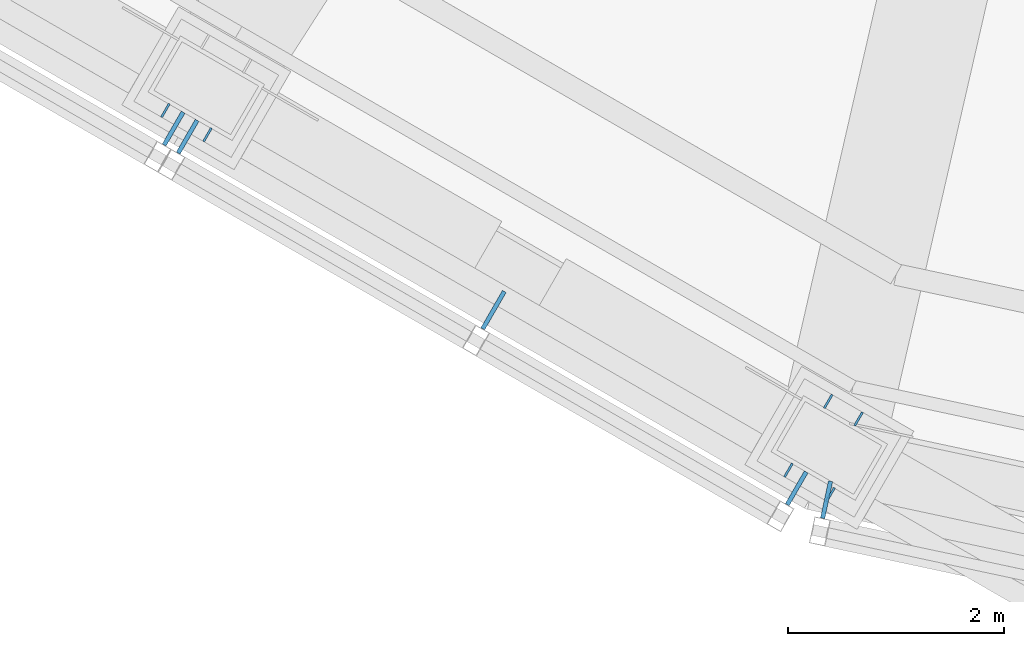
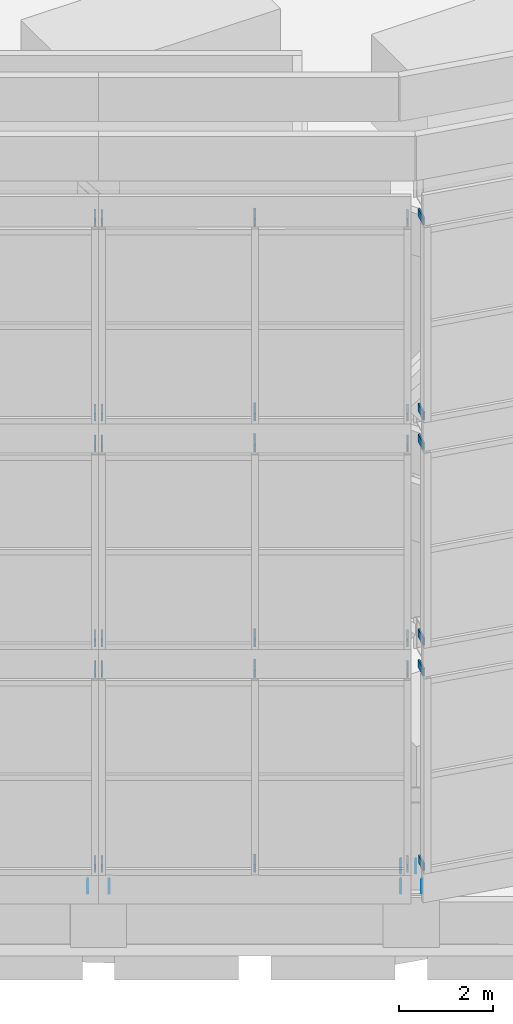
# One storey, part 28 of 46: 36 discrete accessories.
"""IFC4 building model written with IfcOpenShell, lengths in metres."""

from ifc_helpers import new_model, si_unit, direction, frame, origin, origin_2d, place, context, subcontext, project, spatial, rectangle, extrude, material, layer, layer_set, type_object, element, save


model = new_model("IFC4")

# Units and contexts
model_context = context("Model", 3, precision=1e-05, world=origin(), true_north=direction((0.0, 1.0)))
body_context = subcontext(model_context, "Body", "Model", "MODEL_VIEW")
ifc_project = project(units=[si_unit("LENGTHUNIT", "METRE"), si_unit("AREAUNIT", "SQUARE_METRE"), si_unit("VOLUMEUNIT", "CUBIC_METRE"), si_unit("PLANEANGLEUNIT", "RADIAN"), si_unit("MASSUNIT", "GRAM", prefix="KILO")], contexts=[model_context])

# Site, building, storey
site_placement = place(None, origin())
site = spatial("IfcSite", under=ifc_project, at=site_placement, CompositionType="ELEMENT")
building_placement = place(site_placement, origin())
building = spatial("IfcBuilding", under=site, at=building_placement, Name="Vanh Sen Convention Tower", CompositionType="ELEMENT")
storey_placement = place(building_placement, frame((0.0, 0.0, 305.0)))
storey = spatial("IfcBuildingStorey", under=building, at=storey_placement, Name="Roof level", CompositionType="ELEMENT", Elevation=305.0)

# Discrete accessories
ifc_material_1 = material(Name="Steel S355", Category="steel")
ifc_layer = layer(ifc_material_1, 0.02001953125)
ifc_layer_set = layer_set([ifc_layer], Name="Steel S355")
discrete_accessory_type_1 = type_object("IfcDiscreteAccessoryType", Name="Crown base plate stiffener 140 x 300 x 20", PredefinedType="USERDEFINED", material=ifc_layer_set)
for number, where, z_axis, x_axis, name in (
    (1, (-10.154052734375, -16.2705078125, 1.34521484375), (0.0, 0.0, 1.0), (0.5, 0.866025403784, 0.0), "STIFFENER crown column 14 rib 3"),
    (2, (-10.543701171875, -16.04541015625, 1.34521484375), (0.0, 0.0, 1.0), (0.5, 0.866025403784, 0.0), "STIFFENER crown column 14 rib 4"),
    (3, (-4.1240234375, -18.90283203125, 1.34521484375), (0.0, 0.0, 1.0), (0.5, 0.866025403784, 0.0), "STIFFENER crown column 15 rib 1"),
    (4, (-4.405517578125, -18.740478515625, 1.34521484375), (0.0, 0.0, 1.0), (0.5, 0.866025403784, 0.0), "STIFFENER crown column 15 rib 2"),
    (5, (-4.38330078125, -19.60205078125, 1.34521484375), (0.0, 0.0, 1.0), (0.5, 0.866025403784, 0.0), "STIFFENER crown column 15 rib 3"),
    (6, (-4.773193359375, -19.376953125, 1.34521484375), (0.0, 0.0, 1.0), (0.5, 0.866025403784, 0.0), "STIFFENER crown column 15 rib 4"),
):
    element("IfcDiscreteAccessory", number, at=place(storey_placement, frame(where, z_axis=z_axis, x_axis=x_axis)), inside=storey, type_object=discrete_accessory_type_1, Name=name, ObjectType="STIFFENER", PredefinedType="USERDEFINED", context=body_context, shape_type="SweptSolid", body=[
        extrude(rectangle(XDim=0.14501953125, YDim=0.02001953125, at=origin_2d()), origin(), (0.0, 0.0, 1.0), 0.300048828125),
    ])
ifc_material_2 = material(Name="Steel S355", Category="steel")
discrete_accessory_type_2 = type_object("IfcDiscreteAccessoryType", Name="Crown screen bracket 40 x 200", PredefinedType="BRACKET", material=ifc_material_2)
for number, where, z_axis, x_axis, name in (
    (7, (-10.467529296875, -16.21337890625, 2.044921875), (0.0, 0.0, 1.0), (-0.500004534492, -0.866022785779, 0.0), "Crown screen bracket 13-1-3"),
    (8, (-10.467529296875, -16.21337890625, 7.11328125), (0.0, 0.0, 1.0), (-0.500004534492, -0.866022785779, 0.0), "Crown screen bracket 13-1-6"),
    (9, (-10.467529296875, -16.21337890625, 7.9130859375), (0.0, 0.0, 1.0), (-0.500004534492, -0.866022785779, 0.0), "Crown screen bracket 13-2-3"),
    (10, (-10.467529296875, -16.21337890625, 12.98193359375), (0.0, 0.0, 1.0), (-0.500004534492, -0.866022785779, 0.0), "Crown screen bracket 13-2-6"),
    (11, (-10.467529296875, -16.21337890625, 13.78173828125), (0.0, 0.0, 1.0), (-0.500004534492, -0.866022785779, 0.0), "Crown screen bracket 13-3-3"),
    (12, (-10.467529296875, -16.21337890625, 18.85009765625), (0.0, 0.0, 1.0), (-0.500004534492, -0.866022785779, 0.0), "Crown screen bracket 13-3-6"),
    (13, (-10.337646484375, -16.28857421875, 2.044921875), (0.0, 0.0, 1.0), (-0.49999395399, -0.866028894422, 0.0), "Crown screen bracket 14-1-1"),
):
    element("IfcDiscreteAccessory", number, at=place(storey_placement, frame(where, z_axis=z_axis, x_axis=x_axis)), inside=storey, type_object=discrete_accessory_type_2, Name=name, PredefinedType="BRACKET", context=body_context, shape_type="SweptSolid", body=[
        extrude(rectangle(XDim=0.35009765625, YDim=0.0400390625, at=origin_2d()), origin(), (0.0, 0.0, 1.0), 0.199951171875),
    ])
discrete_accessory_1_placement = place(storey_placement, frame((-7.5048828125, -17.89501953125, 2.044921875), z_axis=(0.0, 0.0, 1.0), x_axis=(-0.49999395399, -0.866028894422, 0.0)))
element("IfcDiscreteAccessory", 14, at=discrete_accessory_1_placement, inside=storey, type_object=discrete_accessory_type_2, Name="Crown screen bracket 14-1-2", PredefinedType="BRACKET", context=body_context, shape_type="SweptSolid", body=[
    extrude(rectangle(XDim=0.39990234375, YDim=0.0400390625, at=origin_2d()), origin(), (0.0, 0.0, 1.0), 0.199951171875),
])
for number, where, z_axis, x_axis, name in (
    (15, (-4.697021484375, -19.545166015625, 2.044921875), (0.0, 0.0, 1.0), (-0.49999395399, -0.866028894422, 0.0), "Crown screen bracket 14-1-3"),
    (16, (-10.337646484375, -16.28857421875, 7.11328125), (0.0, 0.0, 1.0), (-0.49999395399, -0.866028894422, 0.0), "Crown screen bracket 14-1-4"),
):
    element("IfcDiscreteAccessory", number, at=place(storey_placement, frame(where, z_axis=z_axis, x_axis=x_axis)), inside=storey, type_object=discrete_accessory_type_2, Name=name, PredefinedType="BRACKET", context=body_context, shape_type="SweptSolid", body=[
        extrude(rectangle(XDim=0.35009765625, YDim=0.0400390625, at=origin_2d()), origin(), (0.0, 0.0, 1.0), 0.199951171875),
    ])
discrete_accessory_2_placement = place(storey_placement, frame((-7.5048828125, -17.89501953125, 7.11328125), z_axis=(0.0, 0.0, 1.0), x_axis=(-0.49999395399, -0.866028894422, 0.0)))
element("IfcDiscreteAccessory", 17, at=discrete_accessory_2_placement, inside=storey, type_object=discrete_accessory_type_2, Name="Crown screen bracket 14-1-5", PredefinedType="BRACKET", context=body_context, shape_type="SweptSolid", body=[
    extrude(rectangle(XDim=0.39990234375, YDim=0.0400390625, at=origin_2d()), origin(), (0.0, 0.0, 1.0), 0.199951171875),
])
for number, where, z_axis, x_axis, name in (
    (18, (-4.697021484375, -19.545166015625, 7.11328125), (0.0, 0.0, 1.0), (-0.49999395399, -0.866028894422, 0.0), "Crown screen bracket 14-1-6"),
    (19, (-10.337646484375, -16.28857421875, 7.9130859375), (0.0, 0.0, 1.0), (-0.49999395399, -0.866028894422, 0.0), "Crown screen bracket 14-2-1"),
):
    element("IfcDiscreteAccessory", number, at=place(storey_placement, frame(where, z_axis=z_axis, x_axis=x_axis)), inside=storey, type_object=discrete_accessory_type_2, Name=name, PredefinedType="BRACKET", context=body_context, shape_type="SweptSolid", body=[
        extrude(rectangle(XDim=0.35009765625, YDim=0.0400390625, at=origin_2d()), origin(), (0.0, 0.0, 1.0), 0.199951171875),
    ])
discrete_accessory_3_placement = place(storey_placement, frame((-7.5048828125, -17.89501953125, 7.9130859375), z_axis=(0.0, 0.0, 1.0), x_axis=(-0.49999395399, -0.866028894422, 0.0)))
element("IfcDiscreteAccessory", 20, at=discrete_accessory_3_placement, inside=storey, type_object=discrete_accessory_type_2, Name="Crown screen bracket 14-2-2", PredefinedType="BRACKET", context=body_context, shape_type="SweptSolid", body=[
    extrude(rectangle(XDim=0.39990234375, YDim=0.0400390625, at=origin_2d()), origin(), (0.0, 0.0, 1.0), 0.199951171875),
])
for number, where, z_axis, x_axis, name in (
    (21, (-4.697021484375, -19.545166015625, 7.9130859375), (0.0, 0.0, 1.0), (-0.49999395399, -0.866028894422, 0.0), "Crown screen bracket 14-2-3"),
    (22, (-10.337646484375, -16.28857421875, 12.98193359375), (0.0, 0.0, 1.0), (-0.49999395399, -0.866028894422, 0.0), "Crown screen bracket 14-2-4"),
):
    element("IfcDiscreteAccessory", number, at=place(storey_placement, frame(where, z_axis=z_axis, x_axis=x_axis)), inside=storey, type_object=discrete_accessory_type_2, Name=name, PredefinedType="BRACKET", context=body_context, shape_type="SweptSolid", body=[
        extrude(rectangle(XDim=0.35009765625, YDim=0.0400390625, at=origin_2d()), origin(), (0.0, 0.0, 1.0), 0.199951171875),
    ])
discrete_accessory_4_placement = place(storey_placement, frame((-7.5048828125, -17.89501953125, 12.98193359375), z_axis=(0.0, 0.0, 1.0), x_axis=(-0.49999395399, -0.866028894422, 0.0)))
element("IfcDiscreteAccessory", 23, at=discrete_accessory_4_placement, inside=storey, type_object=discrete_accessory_type_2, Name="Crown screen bracket 14-2-5", PredefinedType="BRACKET", context=body_context, shape_type="SweptSolid", body=[
    extrude(rectangle(XDim=0.39990234375, YDim=0.0400390625, at=origin_2d()), origin(), (0.0, 0.0, 1.0), 0.199951171875),
])
for number, where, z_axis, x_axis, name in (
    (24, (-4.697021484375, -19.545166015625, 12.98193359375), (0.0, 0.0, 1.0), (-0.49999395399, -0.866028894422, 0.0), "Crown screen bracket 14-2-6"),
    (25, (-10.337646484375, -16.28857421875, 13.78173828125), (0.0, 0.0, 1.0), (-0.49999395399, -0.866028894422, 0.0), "Crown screen bracket 14-3-1"),
):
    element("IfcDiscreteAccessory", number, at=place(storey_placement, frame(where, z_axis=z_axis, x_axis=x_axis)), inside=storey, type_object=discrete_accessory_type_2, Name=name, PredefinedType="BRACKET", context=body_context, shape_type="SweptSolid", body=[
        extrude(rectangle(XDim=0.35009765625, YDim=0.0400390625, at=origin_2d()), origin(), (0.0, 0.0, 1.0), 0.199951171875),
    ])
discrete_accessory_5_placement = place(storey_placement, frame((-7.5048828125, -17.89501953125, 13.78173828125), z_axis=(0.0, 0.0, 1.0), x_axis=(-0.49999395399, -0.866028894422, 0.0)))
element("IfcDiscreteAccessory", 26, at=discrete_accessory_5_placement, inside=storey, type_object=discrete_accessory_type_2, Name="Crown screen bracket 14-3-2", PredefinedType="BRACKET", context=body_context, shape_type="SweptSolid", body=[
    extrude(rectangle(XDim=0.39990234375, YDim=0.0400390625, at=origin_2d()), origin(), (0.0, 0.0, 1.0), 0.199951171875),
])
for number, where, z_axis, x_axis, name in (
    (27, (-4.697021484375, -19.545166015625, 13.78173828125), (0.0, 0.0, 1.0), (-0.49999395399, -0.866028894422, 0.0), "Crown screen bracket 14-3-3"),
    (28, (-10.337646484375, -16.28857421875, 18.85009765625), (0.0, 0.0, 1.0), (-0.49999395399, -0.866028894422, 0.0), "Crown screen bracket 14-3-4"),
):
    element("IfcDiscreteAccessory", number, at=place(storey_placement, frame(where, z_axis=z_axis, x_axis=x_axis)), inside=storey, type_object=discrete_accessory_type_2, Name=name, PredefinedType="BRACKET", context=body_context, shape_type="SweptSolid", body=[
        extrude(rectangle(XDim=0.35009765625, YDim=0.0400390625, at=origin_2d()), origin(), (0.0, 0.0, 1.0), 0.199951171875),
    ])
discrete_accessory_6_placement = place(storey_placement, frame((-7.5048828125, -17.89501953125, 18.85009765625), z_axis=(0.0, 0.0, 1.0), x_axis=(-0.49999395399, -0.866028894422, 0.0)))
element("IfcDiscreteAccessory", 29, at=discrete_accessory_6_placement, inside=storey, type_object=discrete_accessory_type_2, Name="Crown screen bracket 14-3-5", PredefinedType="BRACKET", context=body_context, shape_type="SweptSolid", body=[
    extrude(rectangle(XDim=0.39990234375, YDim=0.0400390625, at=origin_2d()), origin(), (0.0, 0.0, 1.0), 0.199951171875),
])
for number, where, z_axis, x_axis, name in (
    (30, (-4.697021484375, -19.545166015625, 18.85009765625), (0.0, 0.0, 1.0), (-0.49999395399, -0.866028894422, 0.0), "Crown screen bracket 14-3-6"),
    (31, (-4.42041015625, -19.6513671875, 2.044921875), (0.0, 0.0, 1.0), (-0.209236278869, -0.977865113196, 0.0), "Crown screen bracket 15-1-1"),
    (32, (-4.42041015625, -19.6513671875, 7.11328125), (0.0, 0.0, 1.0), (-0.209236278869, -0.977865113196, 0.0), "Crown screen bracket 15-1-4"),
    (33, (-4.42041015625, -19.6513671875, 7.9130859375), (0.0, 0.0, 1.0), (-0.209236278869, -0.977865113196, 0.0), "Crown screen bracket 15-2-1"),
    (34, (-4.42041015625, -19.6513671875, 12.98193359375), (0.0, 0.0, 1.0), (-0.209236278869, -0.977865113196, 0.0), "Crown screen bracket 15-2-4"),
    (35, (-4.42041015625, -19.6513671875, 13.78173828125), (0.0, 0.0, 1.0), (-0.209236278869, -0.977865113196, 0.0), "Crown screen bracket 15-3-1"),
    (36, (-4.42041015625, -19.6513671875, 18.85009765625), (0.0, 0.0, 1.0), (-0.209236278869, -0.977865113196, 0.0), "Crown screen bracket 15-3-4"),
):
    element("IfcDiscreteAccessory", number, at=place(storey_placement, frame(where, z_axis=z_axis, x_axis=x_axis)), inside=storey, type_object=discrete_accessory_type_2, Name=name, PredefinedType="BRACKET", context=body_context, shape_type="SweptSolid", body=[
        extrude(rectangle(XDim=0.35009765625, YDim=0.0400390625, at=origin_2d()), origin(), (0.0, 0.0, 1.0), 0.199951171875),
    ])

save(model, "model.ifc")
